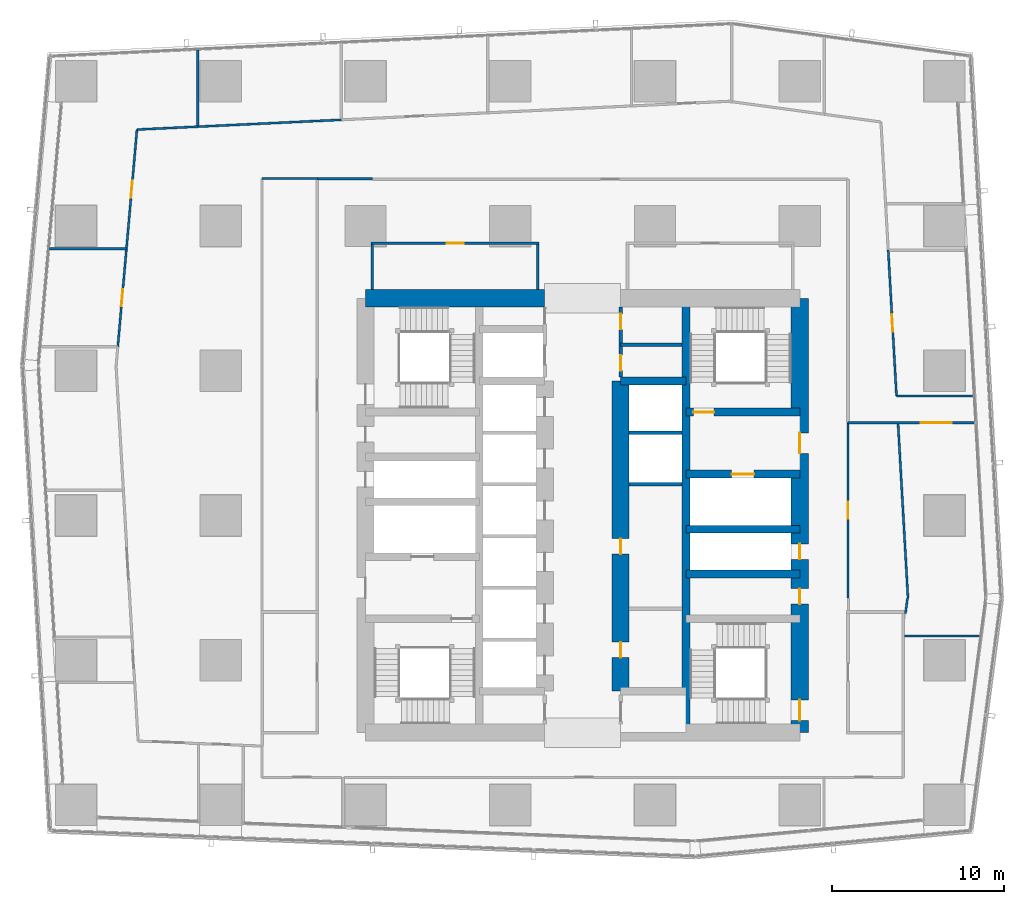
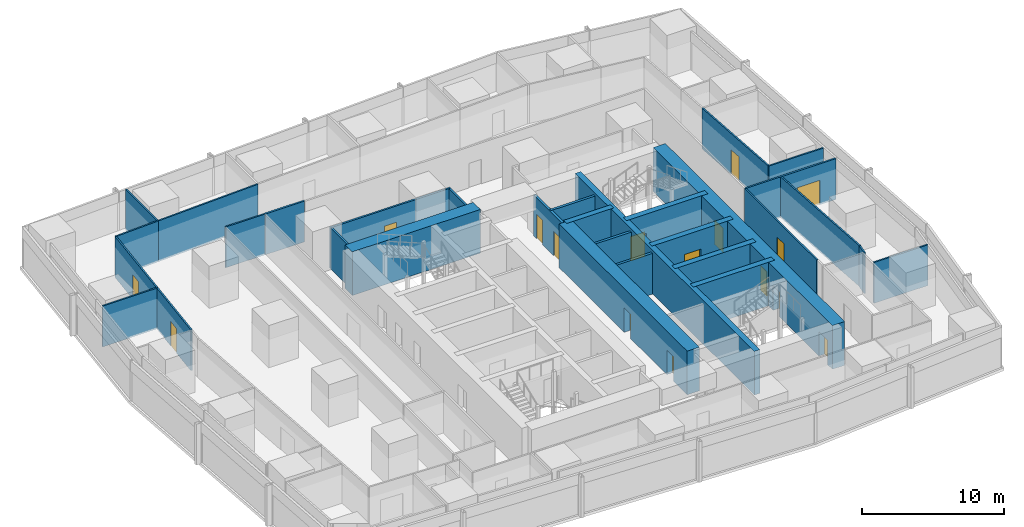
# One storey, part 26 of 37: 31 walls, 16 doors, 16 openings.
"""IFC4 building model written with IfcOpenShell, lengths in metres."""

from ifc_helpers import new_model, si_unit, direction, frame, frame_2d, origin, place, context, subcontext, project, spatial, rectangle, extrude, material, layer, layer_set, type_object, element, fill, save


model = new_model("IFC4")

# Units and contexts
model_context = context("Model", 3, precision=1e-05, world=origin(), true_north=direction((0.0, 1.0)))
body_context = subcontext(model_context, "Body", "Model", "MODEL_VIEW")
ifc_project = project(units=[si_unit("LENGTHUNIT", "METRE"), si_unit("AREAUNIT", "SQUARE_METRE"), si_unit("VOLUMEUNIT", "CUBIC_METRE"), si_unit("PLANEANGLEUNIT", "RADIAN"), si_unit("MASSUNIT", "GRAM", prefix="KILO")], contexts=[model_context])

# Site, building, storey
site_placement = place(None, origin())
site = spatial("IfcSite", under=ifc_project, at=site_placement, CompositionType="ELEMENT")
building_placement = place(site_placement, origin())
building = spatial("IfcBuilding", under=site, at=building_placement, Name="Rekha Terrace Tower", CompositionType="ELEMENT")
storey_placement = place(building_placement, frame((0.0, 0.0, 232.699951171875)))
storey = spatial("IfcBuildingStorey", under=building, at=storey_placement, Name="L59", CompositionType="ELEMENT", Elevation=232.699951171875)

# Walls
ifc_material_1 = material(Name="Concrete M60", Category="concrete")
ifc_layer_1 = layer(ifc_material_1, 0.449951171875)
ifc_layer_set_1 = layer_set([ifc_layer_1], Name="Concrete M60")
wall_type_1 = type_object("IfcWallType", Name="CI3 450 core internal shear wall", PredefinedType="SHEAR", material=ifc_layer_set_1)
wall_1_placement = place(storey_placement, frame((43.800048828125, 21.0, 0.0), z_axis=(0.0, 0.0, 1.0), x_axis=(0.0, 1.0, 0.0)))
element("IfcWall", 1, at=wall_1_placement, inside=storey, type_object=wall_type_1, Name="Core wall X438 L59", PredefinedType="SHEAR", context=body_context, shape_type="SweptSolid", body=[
    extrude(rectangle(XDim=25.199951171875, YDim=0.449951171875, at=frame_2d((12.60009765625, 0.0))), origin(), (0.0, 0.0, 1.0), 3.75),
])
wall_2_placement = place(storey_placement, frame((40.0, 41.39990234375, 0.0), z_axis=(0.0, 0.0, 1.0), x_axis=(1.0, 0.0, 0.0)))
element("IfcWall", 2, at=wall_2_placement, inside=storey, type_object=wall_type_1, Name="Core wall Y414E L59", PredefinedType="SHEAR", context=body_context, shape_type="SweptSolid", body=[
    extrude(rectangle(XDim=3.800048828125, YDim=0.449951171875, at=frame_2d((1.89990234375, 0.0))), origin(), (0.0, 0.0, 1.0), 3.75),
])
for number, where, z_axis, x_axis, name in (
    (3, (43.800048828125, 30.199951171875, 0.0), (0.0, 0.0, 1.0), (1.0, 0.0, 0.0), "Core wall Y302E L59"),
    (4, (43.800048828125, 32.800048828125, 0.0), (0.0, 0.0, 1.0), (1.0, 0.0, 0.0), "Core wall Y328E L59"),
):
    element("IfcWall", number, at=place(storey_placement, frame(where, z_axis=z_axis, x_axis=x_axis)), inside=storey, type_object=wall_type_1, Name=name, PredefinedType="SHEAR", context=body_context, shape_type="SweptSolid", body=[
        extrude(rectangle(XDim=6.599853515625, YDim=0.449951171875, at=frame_2d((3.2998046875, 0.0))), origin(), (0.0, 0.0, 1.0), 3.75),
    ])

# Wall, opening, door
wall_3_placement = place(storey_placement, frame((43.800048828125, 36.0, 0.0), z_axis=(0.0, 0.0, 1.0), x_axis=(1.0, 0.0, 0.0)))
wall_3 = element("IfcWall", 5, at=wall_3_placement, inside=storey, type_object=wall_type_1, Name="Core wall Y360E L59", PredefinedType="SHEAR", context=body_context, shape_type="SweptSolid", body=[
    extrude(rectangle(XDim=6.599853515625, YDim=0.449951171875, at=frame_2d((3.2998046875, 0.0))), origin(), (0.0, 0.0, 1.0), 3.75),
])
opening_1_placement = place(wall_3_placement, frame((2.64990234375, 0.0, 0.0)))
opening_1 = element("IfcOpeningElement", 6, at=opening_1_placement, cuts=wall_3, Name="Opening LD2", PredefinedType="OPENING", context=body_context, shape_type="SweptSolid", body=[
    extrude(rectangle(XDim=1.300048828125, YDim=2.10009765625, at=frame_2d((0.64990234375, 1.050048828125))), frame((0.0, 0.23486328125, 0.0), z_axis=(0.0, -1.0, 0.0), x_axis=(1.0, 0.0, 0.0)), (0.0, 0.0, 1.0), 0.469970703125),
])
ifc_material_2 = material(Name="Stainless steel sliding landing door", Category="steel")
door_type_1 = type_object("IfcDoorType", Name="LD2 1300x2100 fire lift landing door", OperationType="SLIDING_TO_LEFT", PredefinedType="USERDEFINED", material=ifc_material_2)
door_1_placement = place(opening_1_placement, origin())
door_1 = element("IfcDoor", 7, at=door_1_placement, inside=storey, type_object=door_type_1, Name="Lift FL2 landing door L59", ObjectType="LIFT LANDING DOOR", OperationType="SLIDING_TO_LEFT", OverallHeight=2.10009765625, OverallWidth=1.300048828125, PredefinedType="USERDEFINED", context=body_context, shape_type="SweptSolid", body=[
    extrude(rectangle(XDim=1.300048828125, YDim=2.10009765625, at=frame_2d((0.64990234375, 1.050048828125))), frame((0.0, 0.02490234375, 0.0), z_axis=(0.0, -1.0, 0.0), x_axis=(1.0, 0.0, 0.0)), (0.0, 0.0, 1.0), 0.050048828125),
])
fill(opening_1, door_1)

wall_4_placement = place(storey_placement, frame((43.800048828125, 39.60009765625, 0.0), z_axis=(0.0, 0.0, 1.0), x_axis=(1.0, 0.0, 0.0)))
wall_4 = element("IfcWall", 8, at=wall_4_placement, inside=storey, type_object=wall_type_1, Name="Core wall Y396E L59", PredefinedType="SHEAR", context=body_context, shape_type="SweptSolid", body=[
    extrude(rectangle(XDim=6.599853515625, YDim=0.449951171875, at=frame_2d((3.2998046875, 0.0))), origin(), (0.0, 0.0, 1.0), 3.75),
])
opening_2_placement = place(wall_4_placement, frame((0.425048828125, 0.0, 0.0)))
opening_2 = element("IfcOpeningElement", 9, at=opening_2_placement, cuts=wall_4, Name="Opening D1", PredefinedType="OPENING", context=body_context, shape_type="SweptSolid", body=[
    extrude(rectangle(XDim=1.199951171875, YDim=2.10009765625, at=frame_2d((0.60009765625, 1.050048828125))), frame((0.0, 0.23486328125, 0.0), z_axis=(0.0, -1.0, 0.0), x_axis=(1.0, 0.0, 0.0)), (0.0, 0.0, 1.0), 0.469970703125),
])
ifc_material_3 = material(Name="Steel fire door", Category="steel")
door_type_2 = type_object("IfcDoorType", Name="D1 1200x2100 stair fire door", OperationType="SINGLE_SWING_RIGHT", PredefinedType="DOOR", material=ifc_material_3)
door_2_placement = place(opening_2_placement, origin())
door_2 = element("IfcDoor", 10, at=door_2_placement, inside=storey, type_object=door_type_2, Name="Stair ST2 door L59", OperationType="SINGLE_SWING_RIGHT", OverallHeight=2.10009765625, OverallWidth=1.199951171875, PredefinedType="DOOR", context=body_context, shape_type="SweptSolid", body=[
    extrude(rectangle(XDim=1.199951171875, YDim=2.10009765625, at=frame_2d((0.60009765625, 1.050048828125))), frame((0.0, 0.02490234375, 0.0), z_axis=(0.0, -1.0, 0.0), x_axis=(1.0, 0.0, 0.0)), (0.0, 0.0, 1.0), 0.050048828125),
])
fill(opening_2, door_2)

# Wall, openings, doors
ifc_layer_2 = layer(ifc_material_1, 1.0)
ifc_layer_set_2 = layer_set([ifc_layer_2], Name="Concrete M60")
wall_type_2 = type_object("IfcWallType", Name="LW3 1000 core lobby wall at an outrigger level", PredefinedType="SHEAR", material=ifc_layer_set_2)
wall_5_placement = place(storey_placement, frame((40.0, 23.39990234375, 0.0), z_axis=(0.0, 0.0, 1.0), x_axis=(0.0, 1.0, 0.0)))
wall_5 = element("IfcWall", 11, at=wall_5_placement, inside=storey, type_object=wall_type_2, Name="Core wall X400 L59", PredefinedType="SHEAR", context=body_context, shape_type="SweptSolid", body=[
    extrude(rectangle(XDim=18.0, YDim=1.0, at=frame_2d((9.0, 0.0))), origin(), (0.0, 0.0, 1.0), 3.75),
])
opening_3_placement = place(wall_5_placement, frame((1.949951171875, 0.0, 0.0)))
opening_3 = element("IfcOpeningElement", 12, at=opening_3_placement, cuts=wall_5, Name="Opening D5", PredefinedType="OPENING", context=body_context, shape_type="SweptSolid", body=[
    extrude(rectangle(XDim=0.89990234375, YDim=2.10009765625, at=frame_2d((0.449951171875, 1.050048828125))), frame((0.0, 0.510009765625, 0.0), z_axis=(0.0, -1.0, 0.0), x_axis=(1.0, 0.0, 0.0)), (0.0, 0.0, 1.0), 1.02001953125),
])
opening_4_placement = place(wall_5_placement, frame((7.949951171875, 0.0, 0.0)))
opening_4 = element("IfcOpeningElement", 13, at=opening_4_placement, cuts=wall_5, Name="Opening D5", PredefinedType="OPENING", context=body_context, shape_type="SweptSolid", body=[
    extrude(rectangle(XDim=0.89990234375, YDim=2.10009765625, at=frame_2d((0.449951171875, 1.050048828125))), frame((0.0, 0.510009765625, 0.0), z_axis=(0.0, -1.0, 0.0), x_axis=(1.0, 0.0, 0.0)), (0.0, 0.0, 1.0), 1.02001953125),
])
door_type_3 = type_object("IfcDoorType", Name="D5 900x2100 riser access door", OperationType="SINGLE_SWING_LEFT", PredefinedType="DOOR", material=ifc_material_3)
door_3_placement = place(opening_3_placement, origin())
door_3 = element("IfcDoor", 14, at=door_3_placement, inside=storey, type_object=door_type_3, Name="Door records store L59", OperationType="SINGLE_SWING_LEFT", OverallHeight=2.10009765625, OverallWidth=0.89990234375, PredefinedType="DOOR", context=body_context, shape_type="SweptSolid", body=[
    extrude(rectangle(XDim=0.89990234375, YDim=2.10009765625, at=frame_2d((0.449951171875, 1.050048828125))), frame((0.0, 0.02490234375, 0.0), z_axis=(0.0, -1.0, 0.0), x_axis=(1.0, 0.0, 0.0)), (0.0, 0.0, 1.0), 0.050048828125),
])
fill(opening_3, door_3)
door_4_placement = place(opening_4_placement, origin())
door_4 = element("IfcDoor", 15, at=door_4_placement, inside=storey, type_object=door_type_3, Name="Door back-of-house store L59", OperationType="SINGLE_SWING_LEFT", OverallHeight=2.10009765625, OverallWidth=0.89990234375, PredefinedType="DOOR", context=body_context, shape_type="SweptSolid", body=[
    extrude(rectangle(XDim=0.89990234375, YDim=2.10009765625, at=frame_2d((0.449951171875, 1.050048828125))), frame((0.0, 0.02490234375, 0.0), z_axis=(0.0, -1.0, 0.0), x_axis=(1.0, 0.0, 0.0)), (0.0, 0.0, 1.0), 0.050048828125),
])
fill(opening_4, door_4)

# Wall
ifc_layer_3 = layer(ifc_material_1, 1.0)
ifc_layer_set_3 = layer_set([ifc_layer_3], Name="Concrete M60")
wall_type_3 = type_object("IfcWallType", Name="SW3 1000 core outer shear wall", PredefinedType="SHEAR", material=ifc_layer_set_3)
wall_6_placement = place(storey_placement, frame((25.199951171875, 46.199951171875, 0.0), z_axis=(0.0, 0.0, 1.0), x_axis=(1.0, 0.0, 0.0)))
element("IfcWall", 16, at=wall_6_placement, inside=storey, type_object=wall_type_3, Name="Core wall N1 L59", PredefinedType="SHEAR", context=body_context, shape_type="SweptSolid", body=[
    extrude(rectangle(XDim=10.400146484375, YDim=1.0, at=frame_2d((5.2001953125, 0.0))), origin(), (0.0, 0.0, 1.0), 3.75),
])

# Wall, openings, doors
wall_7_placement = place(storey_placement, frame((50.39990234375, 21.0, 0.0), z_axis=(0.0, 0.0, 1.0), x_axis=(0.0, 1.0, 0.0)))
wall_7 = element("IfcWall", 17, at=wall_7_placement, inside=storey, type_object=wall_type_3, Name="Core wall E L59", PredefinedType="SHEAR", context=body_context, shape_type="SweptSolid", body=[
    extrude(rectangle(XDim=25.199951171875, YDim=1.0, at=frame_2d((12.60009765625, 0.0))), origin(), (0.0, 0.0, 1.0), 3.75),
])
opening_5_placement = place(wall_7_placement, frame((16.199951171875, 0.0, 0.0)))
opening_5 = element("IfcOpeningElement", 18, at=opening_5_placement, cuts=wall_7, Name="Opening D2", PredefinedType="OPENING", context=body_context, shape_type="SweptSolid", body=[
    extrude(rectangle(XDim=1.199951171875, YDim=2.10009765625, at=frame_2d((0.60009765625, 1.050048828125))), frame((0.0, 0.510009765625, 0.0), z_axis=(0.0, -1.0, 0.0), x_axis=(1.0, 0.0, 0.0)), (0.0, 0.0, 1.0), 1.02001953125),
])
opening_6_placement = place(wall_7_placement, frame((10.050048828125, 0.0, 0.0)))
opening_6 = element("IfcOpeningElement", 19, at=opening_6_placement, cuts=wall_7, Name="Opening D5", PredefinedType="OPENING", context=body_context, shape_type="SweptSolid", body=[
    extrude(rectangle(XDim=0.89990234375, YDim=2.10009765625, at=frame_2d((0.449951171875, 1.050048828125))), frame((0.0, 0.510009765625, 0.0), z_axis=(0.0, -1.0, 0.0), x_axis=(1.0, 0.0, 0.0)), (0.0, 0.0, 1.0), 1.02001953125),
])
opening_7_placement = place(wall_7_placement, frame((7.449951171875, 0.0, 0.0)))
opening_7 = element("IfcOpeningElement", 20, at=opening_7_placement, cuts=wall_7, Name="Opening D5", PredefinedType="OPENING", context=body_context, shape_type="SweptSolid", body=[
    extrude(rectangle(XDim=0.89990234375, YDim=2.10009765625, at=frame_2d((0.449951171875, 1.050048828125))), frame((0.0, 0.510009765625, 0.0), z_axis=(0.0, -1.0, 0.0), x_axis=(1.0, 0.0, 0.0)), (0.0, 0.0, 1.0), 1.02001953125),
])
opening_8_placement = place(wall_7_placement, frame((0.699951171875, 0.0, 0.0)))
opening_8 = element("IfcOpeningElement", 21, at=opening_8_placement, cuts=wall_7, Name="Opening D1", PredefinedType="OPENING", context=body_context, shape_type="SweptSolid", body=[
    extrude(rectangle(XDim=1.199951171875, YDim=2.10009765625, at=frame_2d((0.60009765625, 1.050048828125))), frame((0.0, 0.510009765625, 0.0), z_axis=(0.0, -1.0, 0.0), x_axis=(1.0, 0.0, 0.0)), (0.0, 0.0, 1.0), 1.02001953125),
])
door_5_placement = place(opening_8_placement, origin())
door_5 = element("IfcDoor", 22, at=door_5_placement, inside=storey, type_object=door_type_2, Name="Stair ST3 door L59", OperationType="SINGLE_SWING_RIGHT", OverallHeight=2.10009765625, OverallWidth=1.199951171875, PredefinedType="DOOR", context=body_context, shape_type="SweptSolid", body=[
    extrude(rectangle(XDim=1.199951171875, YDim=2.10009765625, at=frame_2d((0.60009765625, 1.050048828125))), frame((0.0, 0.02490234375, 0.0), z_axis=(0.0, -1.0, 0.0), x_axis=(1.0, 0.0, 0.0)), (0.0, 0.0, 1.0), 0.050048828125),
])
fill(opening_8, door_5)
door_type_4 = type_object("IfcDoorType", Name="D2 1200x2100 firefighting lobby door", OperationType="SINGLE_SWING_LEFT", PredefinedType="DOOR", material=ifc_material_3)
door_6_placement = place(opening_5_placement, origin())
door_6 = element("IfcDoor", 23, at=door_6_placement, inside=storey, type_object=door_type_4, Name="Door flb2 L59", OperationType="SINGLE_SWING_LEFT", OverallHeight=2.10009765625, OverallWidth=1.199951171875, PredefinedType="DOOR", context=body_context, shape_type="SweptSolid", body=[
    extrude(rectangle(XDim=1.199951171875, YDim=2.10009765625, at=frame_2d((0.60009765625, 1.050048828125))), frame((0.0, 0.02490234375, 0.0), z_axis=(0.0, -1.0, 0.0), x_axis=(1.0, 0.0, 0.0)), (0.0, 0.0, 1.0), 0.050048828125),
])
fill(opening_5, door_6)
door_7_placement = place(opening_6_placement, origin())
door_7 = element("IfcDoor", 24, at=door_7_placement, inside=storey, type_object=door_type_3, Name="Door rs2 L59", OperationType="SINGLE_SWING_LEFT", OverallHeight=2.10009765625, OverallWidth=0.89990234375, PredefinedType="DOOR", context=body_context, shape_type="SweptSolid", body=[
    extrude(rectangle(XDim=0.89990234375, YDim=2.10009765625, at=frame_2d((0.449951171875, 1.050048828125))), frame((0.0, 0.02490234375, 0.0), z_axis=(0.0, -1.0, 0.0), x_axis=(1.0, 0.0, 0.0)), (0.0, 0.0, 1.0), 0.050048828125),
])
fill(opening_6, door_7)
door_8_placement = place(opening_7_placement, origin())
door_8 = element("IfcDoor", 25, at=door_8_placement, inside=storey, type_object=door_type_3, Name="Door ele L59", OperationType="SINGLE_SWING_LEFT", OverallHeight=2.10009765625, OverallWidth=0.89990234375, PredefinedType="DOOR", context=body_context, shape_type="SweptSolid", body=[
    extrude(rectangle(XDim=0.89990234375, YDim=2.10009765625, at=frame_2d((0.449951171875, 1.050048828125))), frame((0.0, 0.02490234375, 0.0), z_axis=(0.0, -1.0, 0.0), x_axis=(1.0, 0.0, 0.0)), (0.0, 0.0, 1.0), 0.050048828125),
])
fill(opening_7, door_8)

# Wall, opening, door
ifc_material_4 = material(Name="Concrete block masonry, 1 hour", Category="masonry")
ifc_layer_4 = layer(ifc_material_4, 0.14990234375)
ifc_layer_set_4 = layer_set([ifc_layer_4], Name="Concrete block masonry, 1 hour")
wall_type_4 = type_object("IfcWallType", Name="WP2 150 tenancy partition", PredefinedType="PARTITIONING", material=ifc_layer_set_4)
wall_8_placement = place(storey_placement, frame((25.52490234375, 49.39990234375, 0.0), z_axis=(0.0, 0.0, 1.0), x_axis=(1.0, 0.0, 0.0)))
wall_8 = element("IfcWall", 26, at=wall_8_placement, inside=storey, type_object=wall_type_4, Name="Women's WC wall L59", PredefinedType="PARTITIONING", context=body_context, shape_type="SweptSolid", body=[
    extrude(rectangle(XDim=9.75, YDim=0.14990234375, at=frame_2d((4.875, 0.0))), origin(), (0.0, 0.0, 1.0), 3.5),
])
opening_9_placement = place(wall_8_placement, frame((4.375, 0.0, 0.0)))
opening_9 = element("IfcOpeningElement", 27, at=opening_9_placement, cuts=wall_8, Name="Opening D3", PredefinedType="OPENING", context=body_context, shape_type="SweptSolid", body=[
    extrude(rectangle(XDim=1.0, YDim=2.10009765625, at=frame_2d((0.5, 1.050048828125))), frame((0.0, 0.0849609375, 0.0), z_axis=(0.0, -1.0, 0.0), x_axis=(1.0, 0.0, 0.0)), (0.0, 0.0, 1.0), 0.169921875),
])
ifc_material_5 = material(Name="Laminated timber fire door", Category="wood")
door_type_5 = type_object("IfcDoorType", Name="D3 1000x2100 WC door", OperationType="SINGLE_SWING_LEFT", PredefinedType="DOOR", material=ifc_material_5)
door_9_placement = place(opening_9_placement, origin())
door_9 = element("IfcDoor", 28, at=door_9_placement, inside=storey, type_object=door_type_5, Name="Door women's wc L59", OperationType="SINGLE_SWING_LEFT", OverallHeight=2.10009765625, OverallWidth=1.0, PredefinedType="DOOR", context=body_context, shape_type="SweptSolid", body=[
    extrude(rectangle(XDim=1.0, YDim=2.10009765625, at=frame_2d((0.5, 1.050048828125))), frame((0.0, 0.02490234375, 0.0), z_axis=(0.0, -1.0, 0.0), x_axis=(1.0, 0.0, 0.0)), (0.0, 0.0, 1.0), 0.050048828125),
])
fill(opening_9, door_9)

# Walls
for number, where, z_axis, x_axis, name in (
    (29, (25.60009765625, 46.699951171875, 0.0), (0.0, 0.0, 1.0), (0.0, 1.0, 0.0), "Women's WC wall L59"),
    (30, (35.199951171875, 46.699951171875, 0.0), (0.0, 0.0, 1.0), (0.0, 1.0, 0.0), "Women's WC wall L59"),
):
    element("IfcWall", number, at=place(storey_placement, frame(where, z_axis=z_axis, x_axis=x_axis)), inside=storey, type_object=wall_type_4, Name=name, PredefinedType="PARTITIONING", context=body_context, shape_type="SweptSolid", body=[
        extrude(rectangle(XDim=2.625, YDim=0.14990234375, at=frame_2d((1.3125, 0.0))), origin(), (0.0, 0.0, 1.0), 3.5),
    ])

# Wall, opening, door
wall_9_placement = place(storey_placement, frame((60.527099609375, 38.98095703125, 0.0), z_axis=(0.0, 0.0, 1.0), x_axis=(-1.0, 0.0, 0.0)))
wall_9 = element("IfcWall", 31, at=wall_9_placement, inside=storey, type_object=wall_type_4, Name="Partition L59-O1", PredefinedType="PARTITIONING", context=body_context, shape_type="SweptSolid", body=[
    extrude(rectangle(XDim=7.3271484375, YDim=0.14990234375, at=frame_2d((3.66357421875, 0.0))), origin(), (0.0, 0.0, 1.0), 3.5),
])
opening_10_placement = place(wall_9_placement, frame((1.31396484375, 0.0, 0.0)))
opening_10 = element("IfcOpeningElement", 32, at=opening_10_placement, cuts=wall_9, Name="Opening D8", PredefinedType="OPENING", context=body_context, shape_type="SweptSolid", body=[
    extrude(rectangle(XDim=1.800048828125, YDim=2.10009765625, at=frame_2d((0.89990234375, 1.050048828125))), frame((0.0, 0.0849609375, 0.0), z_axis=(0.0, -1.0, 0.0), x_axis=(1.0, 0.0, 0.0)), (0.0, 0.0, 1.0), 0.169921875),
])
ifc_material_6 = material(Name="Timber fire door", Category="wood")
door_type_6 = type_object("IfcDoorType", Name="D8 1800x2100 double leaf door", OperationType="DOUBLE_DOOR_SINGLE_SWING", PredefinedType="DOOR", material=ifc_material_6)
door_10_placement = place(opening_10_placement, origin())
door_10 = element("IfcDoor", 33, at=door_10_placement, inside=storey, type_object=door_type_6, Name="Door meeting room L59", OperationType="DOUBLE_DOOR_SINGLE_SWING", OverallHeight=2.10009765625, OverallWidth=1.800048828125, PredefinedType="DOOR", context=body_context, shape_type="SweptSolid", body=[
    extrude(rectangle(XDim=1.800048828125, YDim=2.10009765625, at=frame_2d((0.89990234375, 1.050048828125))), frame((0.0, 0.02490234375, 0.0), z_axis=(0.0, -1.0, 0.0), x_axis=(1.0, 0.0, 0.0)), (0.0, 0.0, 1.0), 0.050048828125),
])
fill(opening_10, door_10)

# Walls
wall_10_placement = place(storey_placement, frame((25.60009765625, 53.14990234375, 0.0), z_axis=(0.0, 0.0, 1.0), x_axis=(-1.0, 0.0, 0.0)))
element("IfcWall", 34, at=wall_10_placement, inside=storey, type_object=wall_type_4, Name="Partition L59-O1", PredefinedType="PARTITIONING", context=body_context, shape_type="SweptSolid", body=[
    extrude(rectangle(XDim=3.2001953125, YDim=0.14990234375, at=frame_2d((1.60009765625, 0.0))), origin(), (0.0, 0.0, 1.0), 3.5),
])
ifc_material_7 = material(Name="Two layers of fire-rated gypsum board each side on steel studs, acoustic quilt, 1 hour", Category="steel")
ifc_layer_5 = layer(ifc_material_7, 0.125)
ifc_layer_set_5 = layer_set([ifc_layer_5], Name="Two layers of fire-rated gypsum board each side on steel studs, acoustic quilt, 1 hour")
wall_type_5 = type_object("IfcWallType", Name="WP3 125 office partition", PredefinedType="PARTITIONING", material=ifc_layer_set_5)
wall_11_placement = place(storey_placement, frame((56.47509765625, 26.59912109375, 0.0), z_axis=(0.0, 0.0, 1.0), x_axis=(1.0, 0.0, 0.0)))
element("IfcWall", 35, at=wall_11_placement, inside=storey, type_object=wall_type_5, Name="Partition L59-03", PredefinedType="PARTITIONING", context=body_context, shape_type="SweptSolid", body=[
    extrude(rectangle(XDim=4.371826171875, YDim=0.125, at=frame_2d((2.18603515625, 0.0))), origin(), (0.0, 0.0, 1.0), 3.5),
])
wall_12_placement = place(storey_placement, frame((56.532958984375, 27.91796875, 0.0), z_axis=(0.0, 0.0, 1.0), x_axis=(0.130903187638, 0.991395156064, 0.0)))
element("IfcWall", 36, at=wall_12_placement, inside=storey, type_object=wall_type_5, Name="Partition L59-04", PredefinedType="PARTITIONING", context=body_context, shape_type="SweptSolid", body=[
    extrude(rectangle(XDim=0.90087890625, YDim=0.125, at=frame_2d((0.450439453125, 0.0))), origin(), (0.0, 0.0, 1.0), 3.5),
])
wall_13_placement = place(storey_placement, frame((60.43896484375, 40.531005859375, 0.0), z_axis=(0.0, 0.0, 1.0), x_axis=(-1.0, 0.0, 0.0)))
element("IfcWall", 37, at=wall_13_placement, inside=storey, type_object=wall_type_5, Name="Partition L59-05", PredefinedType="PARTITIONING", context=body_context, shape_type="SweptSolid", body=[
    extrude(rectangle(XDim=4.427001953125, YDim=0.125, at=frame_2d((2.21337890625, 0.0))), origin(), (0.0, 0.0, 1.0), 3.5),
])

# Wall, opening, door
wall_14_placement = place(storey_placement, frame((56.011962890625, 40.531005859375, 0.0), z_axis=(0.0, 0.0, 1.0), x_axis=(-0.056725059265, 0.998389837514, 0.0)))
wall_14 = element("IfcWall", 38, at=wall_14_placement, inside=storey, type_object=wall_type_5, Name="Partition L59-05", PredefinedType="PARTITIONING", context=body_context, shape_type="SweptSolid", body=[
    extrude(rectangle(XDim=8.478759765625, YDim=0.125, at=frame_2d((4.2392578125, 0.0))), origin(), (0.0, 0.0, 1.0), 3.5),
])
opening_11_placement = place(wall_14_placement, frame((3.739013671875, 0.0, 0.0)))
opening_11 = element("IfcOpeningElement", 39, at=opening_11_placement, cuts=wall_14, Name="Opening D9", PredefinedType="OPENING", context=body_context, shape_type="SweptSolid", body=[
    extrude(rectangle(XDim=1.0, YDim=2.10009765625, at=frame_2d((0.5, 1.050048828125))), frame((0.0, 0.072509765625, 0.0), z_axis=(0.0, -1.0, 0.0), x_axis=(1.0, 0.0, 0.0)), (0.0, 0.0, 1.0), 0.14501953125),
])
door_type_7 = type_object("IfcDoorType", Name="D9 1000x2100 office door", OperationType="SINGLE_SWING_LEFT", PredefinedType="DOOR", material=ifc_material_6)
door_11_placement = place(opening_11_placement, origin())
door_11 = element("IfcDoor", 40, at=door_11_placement, inside=storey, type_object=door_type_7, Name="Door office L59", OperationType="SINGLE_SWING_LEFT", OverallHeight=2.10009765625, OverallWidth=1.0, PredefinedType="DOOR", context=body_context, shape_type="SweptSolid", body=[
    extrude(rectangle(XDim=1.0, YDim=2.10009765625, at=frame_2d((0.5, 1.050048828125))), frame((0.0, 0.02490234375, 0.0), z_axis=(0.0, -1.0, 0.0), x_axis=(1.0, 0.0, 0.0)), (0.0, 0.0, 1.0), 0.050048828125),
])
fill(opening_11, door_11)

# Walls
wall_15_placement = place(storey_placement, frame((23.7919921875, 56.55908203125, 0.0), z_axis=(0.0, 0.0, 1.0), x_axis=(-0.998858041753, -0.047776693337, 0.0)))
element("IfcWall", 41, at=wall_15_placement, inside=storey, type_object=wall_type_5, Name="Partition L59-07", PredefinedType="PARTITIONING", context=body_context, shape_type="SweptSolid", body=[
    extrude(rectangle(XDim=8.33447265625, YDim=0.125, at=frame_2d((4.167236328125, 0.0))), origin(), (0.0, 0.0, 1.0), 3.5),
])
wall_16_placement = place(storey_placement, frame((15.467041015625, 56.160888671875, 0.0), z_axis=(0.0, 0.0, 1.0), x_axis=(0.0, 1.0, 0.0)))
element("IfcWall", 42, at=wall_16_placement, inside=storey, type_object=wall_type_5, Name="Partition L59-07", PredefinedType="PARTITIONING", context=body_context, shape_type="SweptSolid", body=[
    extrude(rectangle(XDim=4.4560546875, YDim=0.125, at=frame_2d((2.22802734375, 0.0))), origin(), (0.0, 0.0, 1.0), 3.5),
])
wall_17_placement = place(storey_placement, frame((11.327880859375, 49.0810546875, 0.0), z_axis=(0.0, 0.0, 1.0), x_axis=(-1.0, 0.0, 0.0)))
element("IfcWall", 43, at=wall_17_placement, inside=storey, type_object=wall_type_5, Name="Partition L59-08", PredefinedType="PARTITIONING", context=body_context, shape_type="SweptSolid", body=[
    extrude(rectangle(XDim=4.4677734375, YDim=0.125, at=frame_2d((2.23388671875, 0.0))), origin(), (0.0, 0.0, 1.0), 3.5),
])
wall_18_placement = place(storey_placement, frame((15.466064453125, 56.160888671875, 0.0), z_axis=(0.0, 0.0, 1.0), x_axis=(-0.998868606823, -0.047555297315, 0.0)))
element("IfcWall", 44, at=wall_18_placement, inside=storey, type_object=wall_type_5, Name="Partition L59-08", PredefinedType="PARTITIONING", context=body_context, shape_type="SweptSolid", body=[
    extrude(rectangle(XDim=3.531982421875, YDim=0.125, at=frame_2d((1.76611328125, 0.0))), origin(), (0.0, 0.0, 1.0), 3.5),
])

# Wall, opening, door
wall_19_placement = place(storey_placement, frame((11.93798828125, 55.992919921875, 0.0), z_axis=(0.0, 0.0, 1.0), x_axis=(-0.087927696719, -0.996126859466, 0.0)))
wall_19 = element("IfcWall", 45, at=wall_19_placement, inside=storey, type_object=wall_type_5, Name="Partition L59-08", PredefinedType="PARTITIONING", context=body_context, shape_type="SweptSolid", body=[
    extrude(rectangle(XDim=6.938720703125, YDim=0.125, at=frame_2d((3.46923828125, 0.0))), origin(), (0.0, 0.0, 1.0), 3.5),
])
opening_12_placement = place(wall_19_placement, frame((2.968994140625, 0.0, 0.0)))
opening_12 = element("IfcOpeningElement", 46, at=opening_12_placement, cuts=wall_19, Name="Opening D9", PredefinedType="OPENING", context=body_context, shape_type="SweptSolid", body=[
    extrude(rectangle(XDim=1.0, YDim=2.10009765625, at=frame_2d((0.5, 1.050048828125))), frame((0.0, 0.072509765625, 0.0), z_axis=(0.0, -1.0, 0.0), x_axis=(1.0, 0.0, 0.0)), (0.0, 0.0, 1.0), 0.14501953125),
])
door_12_placement = place(opening_12_placement, origin())
door_12 = element("IfcDoor", 47, at=door_12_placement, inside=storey, type_object=door_type_7, Name="Door director's office L59", OperationType="SINGLE_SWING_LEFT", OverallHeight=2.10009765625, OverallWidth=1.0, PredefinedType="DOOR", context=body_context, shape_type="SweptSolid", body=[
    extrude(rectangle(XDim=1.0, YDim=2.10009765625, at=frame_2d((0.5, 1.050048828125))), frame((0.0, 0.02490234375, 0.0), z_axis=(0.0, -1.0, 0.0), x_axis=(1.0, 0.0, 0.0)), (0.0, 0.0, 1.0), 0.050048828125),
])
fill(opening_12, door_12)

wall_20_placement = place(storey_placement, frame((11.327880859375, 49.080078125, 0.0), z_axis=(0.0, 0.0, 1.0), x_axis=(-0.087906288429, -0.996128748935, 0.0)))
wall_20 = element("IfcWall", 48, at=wall_20_placement, inside=storey, type_object=wall_type_5, Name="Partition L59-09", PredefinedType="PARTITIONING", context=body_context, shape_type="SweptSolid", body=[
    extrude(rectangle(XDim=5.710205078125, YDim=0.125, at=frame_2d((2.85498046875, 0.0))), origin(), (0.0, 0.0, 1.0), 3.5),
])
opening_13_placement = place(wall_20_placement, frame((2.35498046875, 0.0, 0.0)))
opening_13 = element("IfcOpeningElement", 49, at=opening_13_placement, cuts=wall_20, Name="Opening D9", PredefinedType="OPENING", context=body_context, shape_type="SweptSolid", body=[
    extrude(rectangle(XDim=1.0, YDim=2.10009765625, at=frame_2d((0.5, 1.050048828125))), frame((0.0, 0.072509765625, 0.0), z_axis=(0.0, -1.0, 0.0), x_axis=(1.0, 0.0, 0.0)), (0.0, 0.0, 1.0), 0.14501953125),
])
door_13_placement = place(opening_13_placement, origin())
door_13 = element("IfcDoor", 50, at=door_13_placement, inside=storey, type_object=door_type_7, Name="Door office L59", OperationType="SINGLE_SWING_LEFT", OverallHeight=2.10009765625, OverallWidth=1.0, PredefinedType="DOOR", context=body_context, shape_type="SweptSolid", body=[
    extrude(rectangle(XDim=1.0, YDim=2.10009765625, at=frame_2d((0.5, 1.050048828125))), frame((0.0, 0.02490234375, 0.0), z_axis=(0.0, -1.0, 0.0), x_axis=(1.0, 0.0, 0.0)), (0.0, 0.0, 1.0), 0.050048828125),
])
fill(opening_13, door_13)

# Walls
wall_21_placement = place(storey_placement, frame((19.199951171875, 53.14990234375, 0.0), z_axis=(0.0, 0.0, 1.0), x_axis=(1.0, 0.0, 0.0)))
element("IfcWall", 51, at=wall_21_placement, inside=storey, type_object=wall_type_5, Name="Partition L59-15", PredefinedType="PARTITIONING", context=body_context, shape_type="SweptSolid", body=[
    extrude(rectangle(XDim=3.199951171875, YDim=0.125, at=frame_2d((1.60009765625, 0.0))), origin(), (0.0, 0.0, 1.0), 3.5),
])
wall_22_placement = place(storey_placement, frame((56.677001953125, 28.81201171875, 0.0), z_axis=(0.0, 0.0, 1.0), x_axis=(-0.056674993877, 0.998392680797, 0.0)))
element("IfcWall", 52, at=wall_22_placement, inside=storey, type_object=wall_type_5, Name="Partition L59-16", PredefinedType="PARTITIONING", context=body_context, shape_type="SweptSolid", body=[
    extrude(rectangle(XDim=10.1103515625, YDim=0.125, at=frame_2d((5.05517578125, 0.0))), origin(), (0.0, 0.0, 1.0), 3.5),
])

# Wall, opening, door
wall_23_placement = place(storey_placement, frame((53.199951171875, 28.81201171875, 0.0), z_axis=(0.0, 0.0, 1.0), x_axis=(0.0, 1.0, 0.0)))
wall_23 = element("IfcWall", 53, at=wall_23_placement, inside=storey, type_object=wall_type_5, Name="Partition L59-17", PredefinedType="PARTITIONING", context=body_context, shape_type="SweptSolid", body=[
    extrude(rectangle(XDim=10.1689453125, YDim=0.125, at=frame_2d((5.08447265625, 0.0))), origin(), (0.0, 0.0, 1.0), 3.5),
])
opening_14_placement = place(wall_23_placement, frame((4.5849609375, 0.0, 0.0)))
opening_14 = element("IfcOpeningElement", 54, at=opening_14_placement, cuts=wall_23, Name="Opening D9", PredefinedType="OPENING", context=body_context, shape_type="SweptSolid", body=[
    extrude(rectangle(XDim=1.0, YDim=2.10009765625, at=frame_2d((0.5, 1.050048828125))), frame((0.0, 0.072509765625, 0.0), z_axis=(0.0, -1.0, 0.0), x_axis=(1.0, 0.0, 0.0)), (0.0, 0.0, 1.0), 0.14501953125),
])
door_14_placement = place(opening_14_placement, origin())
door_14 = element("IfcDoor", 55, at=door_14_placement, inside=storey, type_object=door_type_7, Name="Door breakout lounge L59", OperationType="SINGLE_SWING_LEFT", OverallHeight=2.10009765625, OverallWidth=1.0, PredefinedType="DOOR", context=body_context, shape_type="SweptSolid", body=[
    extrude(rectangle(XDim=1.0, YDim=2.10009765625, at=frame_2d((0.5, 1.050048828125))), frame((0.0, 0.02490234375, 0.0), z_axis=(0.0, -1.0, 0.0), x_axis=(1.0, 0.0, 0.0)), (0.0, 0.0, 1.0), 0.050048828125),
])
fill(opening_14, door_14)

# Walls
ifc_material_8 = material(Name="Solid concrete block masonry, 2 hour", Category="masonry")
ifc_layer_6 = layer(ifc_material_8, 0.199951171875)
ifc_layer_set_6 = layer_set([ifc_layer_6], Name="Solid concrete block masonry, 2 hour")
wall_type_6 = type_object("IfcWallType", Name="WS1 200 stair and shaft enclosure", PredefinedType="PARTITIONING", material=ifc_layer_set_6)
for number, where, z_axis, x_axis, name in (
    (56, (40.5, 35.39990234375, 0.0), (0.0, 0.0, 1.0), (1.0, 0.0, 0.0), "Lift shaft divider L59"),
    (57, (40.5, 38.39990234375, 0.0), (0.0, 0.0, 1.0), (1.0, 0.0, 0.0), "Lift shaft divider L59"),
):
    element("IfcWall", number, at=place(storey_placement, frame(where, z_axis=z_axis, x_axis=x_axis)), inside=storey, type_object=wall_type_6, Name=name, PredefinedType="PARTITIONING", context=body_context, shape_type="SweptSolid", body=[
        extrude(rectangle(XDim=3.074951171875, YDim=0.199951171875, at=frame_2d((1.53759765625, 0.0))), origin(), (0.0, 0.0, 1.0), 3.5),
    ])

# Wall, openings, doors
wall_24_placement = place(storey_placement, frame((40.0, 41.625, 0.0), z_axis=(0.0, 0.0, 1.0), x_axis=(0.0, 1.0, 0.0)))
wall_24 = element("IfcWall", 58, at=wall_24_placement, inside=storey, type_object=wall_type_6, Name="Core partition elec L59", PredefinedType="PARTITIONING", context=body_context, shape_type="SweptSolid", body=[
    extrude(rectangle(XDim=4.074951171875, YDim=0.199951171875, at=frame_2d((2.03759765625, 0.0))), origin(), (0.0, 0.0, 1.0), 3.5),
])
opening_15_placement = place(wall_24_placement, frame((2.77490234375, 0.0, 0.0)))
opening_15 = element("IfcOpeningElement", 59, at=opening_15_placement, cuts=wall_24, Name="Opening D5", PredefinedType="OPENING", context=body_context, shape_type="SweptSolid", body=[
    extrude(rectangle(XDim=0.89990234375, YDim=2.10009765625, at=frame_2d((0.449951171875, 1.050048828125))), frame((0.0, 0.10986328125, 0.0), z_axis=(0.0, -1.0, 0.0), x_axis=(1.0, 0.0, 0.0)), (0.0, 0.0, 1.0), 0.219970703125),
])
opening_16_placement = place(wall_24_placement, frame((0.375, 0.0, 0.0)))
opening_16 = element("IfcOpeningElement", 60, at=opening_16_placement, cuts=wall_24, Name="Opening D5", PredefinedType="OPENING", context=body_context, shape_type="SweptSolid", body=[
    extrude(rectangle(XDim=0.89990234375, YDim=2.10009765625, at=frame_2d((0.449951171875, 1.050048828125))), frame((0.0, 0.10986328125, 0.0), z_axis=(0.0, -1.0, 0.0), x_axis=(1.0, 0.0, 0.0)), (0.0, 0.0, 1.0), 0.219970703125),
])
door_15_placement = place(opening_15_placement, origin())
door_15 = element("IfcDoor", 61, at=door_15_placement, inside=storey, type_object=door_type_3, Name="Door electrical room L59", OperationType="SINGLE_SWING_LEFT", OverallHeight=2.10009765625, OverallWidth=0.89990234375, PredefinedType="DOOR", context=body_context, shape_type="SweptSolid", body=[
    extrude(rectangle(XDim=0.89990234375, YDim=2.10009765625, at=frame_2d((0.449951171875, 1.050048828125))), frame((0.0, 0.02490234375, 0.0), z_axis=(0.0, -1.0, 0.0), x_axis=(1.0, 0.0, 0.0)), (0.0, 0.0, 1.0), 0.050048828125),
])
fill(opening_15, door_15)
door_16_placement = place(opening_16_placement, origin())
door_16 = element("IfcDoor", 62, at=door_16_placement, inside=storey, type_object=door_type_3, Name="Door records store L59", OperationType="SINGLE_SWING_LEFT", OverallHeight=2.10009765625, OverallWidth=0.89990234375, PredefinedType="DOOR", context=body_context, shape_type="SweptSolid", body=[
    extrude(rectangle(XDim=0.89990234375, YDim=2.10009765625, at=frame_2d((0.449951171875, 1.050048828125))), frame((0.0, 0.02490234375, 0.0), z_axis=(0.0, -1.0, 0.0), x_axis=(1.0, 0.0, 0.0)), (0.0, 0.0, 1.0), 0.050048828125),
])
fill(opening_16, door_16)

# Wall
wall_25_placement = place(storey_placement, frame((40.0, 43.5, 0.0), z_axis=(0.0, 0.0, 1.0), x_axis=(1.0, 0.0, 0.0)))
element("IfcWall", 63, at=wall_25_placement, inside=storey, type_object=wall_type_6, Name="Core partition elx L59", PredefinedType="PARTITIONING", context=body_context, shape_type="SweptSolid", body=[
    extrude(rectangle(XDim=3.574951171875, YDim=0.199951171875, at=frame_2d((1.78759765625, 0.0))), origin(), (0.0, 0.0, 1.0), 3.5),
])

save(model, "model.ifc")
